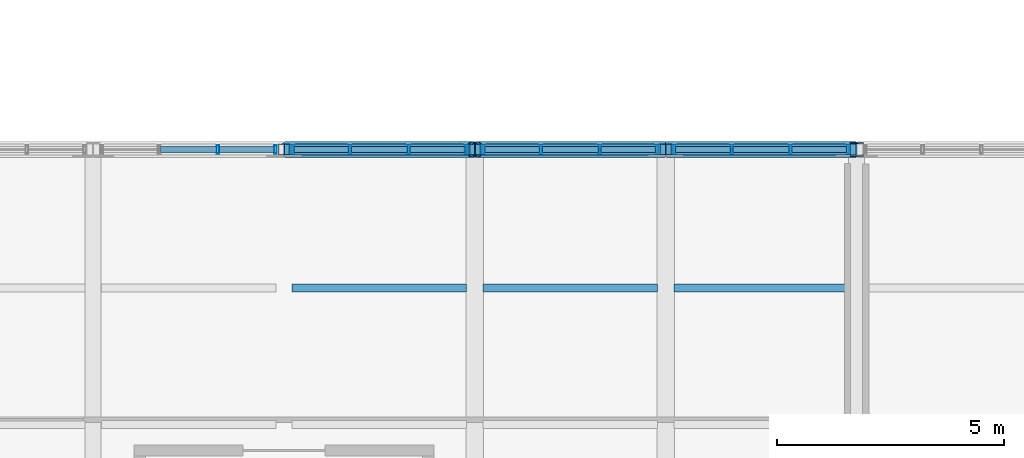
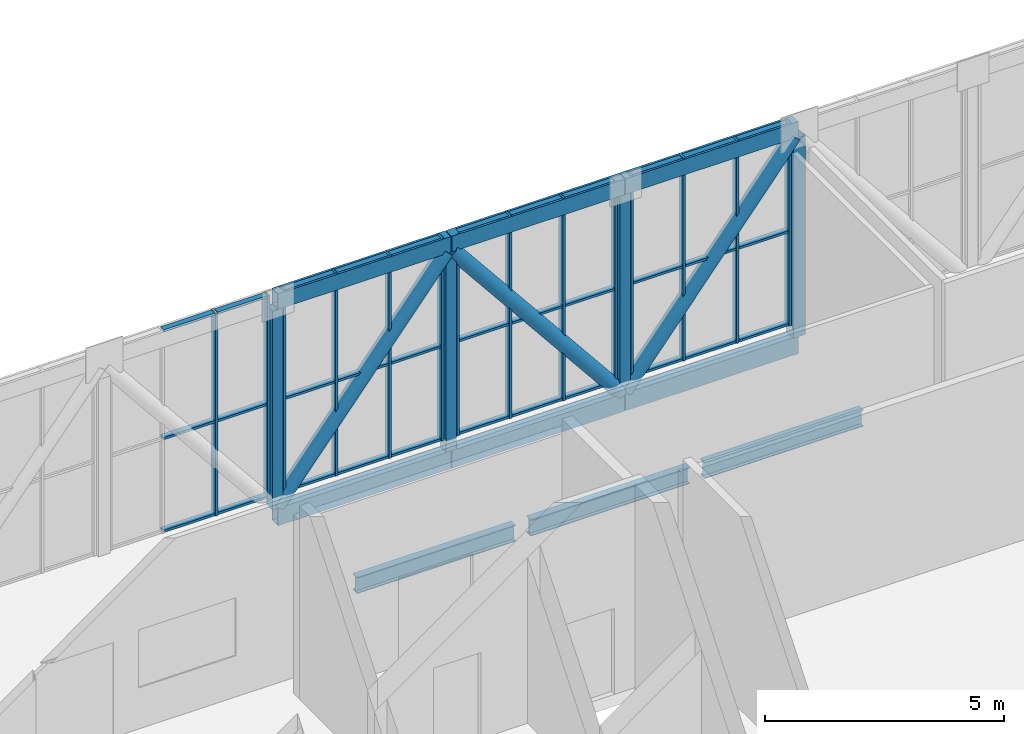
# One storey, part 24 of 58: 60 members, 3 beams, 4 elements without a shape of their own.
"""IFC4 building model written with IfcOpenShell, lengths in metres."""

from ifc_helpers import new_model, si_unit, direction, frame, origin, origin_2d, place, context, subcontext, project, spatial, hollow_rectangle, hollow_circle, i_section, extrude, material, material_profile, profile_set, type_object, element, aggregate, save


model = new_model("IFC4")

# Units and contexts
model_context = context("Model", 3, precision=1e-05, world=origin(), true_north=direction((0.0, 1.0)))
body_context = subcontext(model_context, "Body", "Model", "MODEL_VIEW")
ifc_project = project(units=[si_unit("LENGTHUNIT", "METRE"), si_unit("AREAUNIT", "SQUARE_METRE"), si_unit("VOLUMEUNIT", "CUBIC_METRE"), si_unit("PLANEANGLEUNIT", "RADIAN"), si_unit("MASSUNIT", "GRAM", prefix="KILO")], contexts=[model_context])

# Site, building, storey
site_placement = place(None, origin())
site = spatial("IfcSite", under=ifc_project, at=site_placement, CompositionType="ELEMENT")
building_placement = place(site_placement, origin())
building = spatial("IfcBuilding", under=site, at=building_placement, Name="Khurvash Pelagic Aquarium", CompositionType="ELEMENT")
storey_placement = place(building_placement, frame((0.0, 0.0, 24.60009765625)))
storey = spatial("IfcBuildingStorey", under=building, at=storey_placement, Name="L05", CompositionType="ELEMENT", Elevation=24.60009765625)

# Curtain wall, members
ifc_material_1 = material(Name="Anodised aluminium and low-E laminated glass", Category="aluminium")
curtain_wall_type = type_object("IfcCurtainWallType", Name="CW-01", PredefinedType="USERDEFINED", material=ifc_material_1)
curtain_wall_1_placement = place(storey_placement, origin())
curtain_wall_1 = element("IfcCurtainWall", 1, at=curtain_wall_1_placement, inside=storey, type_object=curtain_wall_type, Name="L05 North Sky-Bar Unitised Curtain Wall CW-01 P12", ObjectType="UNITISED CURTAIN WALL", PredefinedType="USERDEFINED")
ifc_material_2 = material(Name="Extruded aluminium AW-6063-T6", Category="aluminium")
ifc_material_profile_1 = material_profile(ifc_material_2, hollow_rectangle(XDim=0.06005859375, YDim=0.179931640625, WallThickness=0.00390625, at=origin_2d()), Name="CWM60X180X4")
ifc_profile_set_1 = profile_set([ifc_material_profile_1], Name="Extruded aluminium AW-6063-T6")
member_type_1 = type_object("IfcMemberType", Name="CM-01", PredefinedType="MULLION", material=ifc_profile_set_1)
member_1_placement = place(storey_placement, frame((61.546630859375, 29.75, 0.0), z_axis=(0.0, 0.0, 1.0), x_axis=(1.0, 0.0, 0.0)))
member_1 = element("IfcMember", 2, at=member_1_placement, type_object=member_type_1, Name="CW-01 mullion 3", PredefinedType="MULLION", context=body_context, shape_type="SweptSolid", body=[
    extrude(hollow_rectangle(XDim=0.06005859375, YDim=0.179931640625, WallThickness=0.00390625, at=origin_2d()), origin(), (0.0, 0.0, 1.0), 5.179931640625),
])
member_2_placement = place(storey_placement, frame((62.81005859375, 29.75, 0.0), z_axis=(0.0, 0.0, 1.0), x_axis=(1.0, 0.0, 0.0)))
member_2 = element("IfcMember", 3, at=member_2_placement, type_object=member_type_1, Name="CW-01 mullion 4", PredefinedType="MULLION", context=body_context, shape_type="SweptSolid", body=[
    extrude(hollow_rectangle(XDim=0.06005859375, YDim=0.179931640625, WallThickness=0.00390625, at=origin_2d()), origin(), (0.0, 0.0, 1.0), 5.179931640625),
])

curtain_wall_2_placement = place(storey_placement, origin())
curtain_wall_2 = element("IfcCurtainWall", 4, at=curtain_wall_2_placement, inside=storey, type_object=curtain_wall_type, Name="L05 North Sky-Bar Unitised Curtain Wall CW-01 P13", ObjectType="UNITISED CURTAIN WALL", PredefinedType="USERDEFINED")
member_3_placement = place(storey_placement, frame((63.18994140625, 29.75, 0.0), z_axis=(0.0, 0.0, 1.0), x_axis=(1.0, 0.0, 0.0)))
member_3 = element("IfcMember", 5, at=member_3_placement, type_object=member_type_1, Name="CW-01 mullion 1", PredefinedType="MULLION", context=body_context, shape_type="SweptSolid", body=[
    extrude(hollow_rectangle(XDim=0.06005859375, YDim=0.179931640625, WallThickness=0.00390625, at=origin_2d()), origin(), (0.0, 0.0, 1.0), 5.179931640625),
])
member_4_placement = place(storey_placement, frame((64.453369140625, 29.75, 0.0), z_axis=(0.0, 0.0, 1.0), x_axis=(1.0, 0.0, 0.0)))
member_4 = element("IfcMember", 6, at=member_4_placement, type_object=member_type_1, Name="CW-01 mullion 2", PredefinedType="MULLION", context=body_context, shape_type="SweptSolid", body=[
    extrude(hollow_rectangle(XDim=0.06005859375, YDim=0.179931640625, WallThickness=0.00390625, at=origin_2d()), origin(), (0.0, 0.0, 1.0), 5.179931640625),
])
member_5_placement = place(storey_placement, frame((65.74658203125, 29.75, 0.0), z_axis=(0.0, 0.0, 1.0), x_axis=(1.0, 0.0, 0.0)))
member_5 = element("IfcMember", 7, at=member_5_placement, type_object=member_type_1, Name="CW-01 mullion 3", PredefinedType="MULLION", context=body_context, shape_type="SweptSolid", body=[
    extrude(hollow_rectangle(XDim=0.06005859375, YDim=0.179931640625, WallThickness=0.00390625, at=origin_2d()), origin(), (0.0, 0.0, 1.0), 5.179931640625),
])
member_6_placement = place(storey_placement, frame((67.010009765625, 29.75, 0.0), z_axis=(0.0, 0.0, 1.0), x_axis=(1.0, 0.0, 0.0)))
member_6 = element("IfcMember", 8, at=member_6_placement, type_object=member_type_1, Name="CW-01 mullion 4", PredefinedType="MULLION", context=body_context, shape_type="SweptSolid", body=[
    extrude(hollow_rectangle(XDim=0.06005859375, YDim=0.179931640625, WallThickness=0.00390625, at=origin_2d()), origin(), (0.0, 0.0, 1.0), 5.179931640625),
])

curtain_wall_3_placement = place(storey_placement, origin())
curtain_wall_3 = element("IfcCurtainWall", 9, at=curtain_wall_3_placement, inside=storey, type_object=curtain_wall_type, Name="L05 North Sky-Bar Unitised Curtain Wall CW-01 P14", ObjectType="UNITISED CURTAIN WALL", PredefinedType="USERDEFINED")
member_7_placement = place(storey_placement, frame((67.389892578125, 29.75, 0.0), z_axis=(0.0, 0.0, 1.0), x_axis=(1.0, 0.0, 0.0)))
member_7 = element("IfcMember", 10, at=member_7_placement, type_object=member_type_1, Name="CW-01 mullion 1", PredefinedType="MULLION", context=body_context, shape_type="SweptSolid", body=[
    extrude(hollow_rectangle(XDim=0.06005859375, YDim=0.179931640625, WallThickness=0.00390625, at=origin_2d()), origin(), (0.0, 0.0, 1.0), 5.179931640625),
])
member_8_placement = place(storey_placement, frame((68.6533203125, 29.75, 0.0), z_axis=(0.0, 0.0, 1.0), x_axis=(1.0, 0.0, 0.0)))
member_8 = element("IfcMember", 11, at=member_8_placement, type_object=member_type_1, Name="CW-01 mullion 2", PredefinedType="MULLION", context=body_context, shape_type="SweptSolid", body=[
    extrude(hollow_rectangle(XDim=0.06005859375, YDim=0.179931640625, WallThickness=0.00390625, at=origin_2d()), origin(), (0.0, 0.0, 1.0), 5.179931640625),
])
member_9_placement = place(storey_placement, frame((69.94677734375, 29.75, 0.0), z_axis=(0.0, 0.0, 1.0), x_axis=(1.0, 0.0, 0.0)))
member_9 = element("IfcMember", 12, at=member_9_placement, type_object=member_type_1, Name="CW-01 mullion 3", PredefinedType="MULLION", context=body_context, shape_type="SweptSolid", body=[
    extrude(hollow_rectangle(XDim=0.06005859375, YDim=0.179931640625, WallThickness=0.00390625, at=origin_2d()), origin(), (0.0, 0.0, 1.0), 5.179931640625),
])
member_10_placement = place(storey_placement, frame((71.2099609375, 29.75, 0.0), z_axis=(0.0, 0.0, 1.0), x_axis=(1.0, 0.0, 0.0)))
member_10 = element("IfcMember", 13, at=member_10_placement, type_object=member_type_1, Name="CW-01 mullion 4", PredefinedType="MULLION", context=body_context, shape_type="SweptSolid", body=[
    extrude(hollow_rectangle(XDim=0.06005859375, YDim=0.179931640625, WallThickness=0.00390625, at=origin_2d()), origin(), (0.0, 0.0, 1.0), 5.179931640625),
])

curtain_wall_4_placement = place(storey_placement, origin())
curtain_wall_4 = element("IfcCurtainWall", 14, at=curtain_wall_4_placement, inside=storey, type_object=curtain_wall_type, Name="L05 North Sky-Bar Unitised Curtain Wall CW-01 P15", ObjectType="UNITISED CURTAIN WALL", PredefinedType="USERDEFINED")
member_11_placement = place(storey_placement, frame((71.590087890625, 29.75, 0.0), z_axis=(0.0, 0.0, 1.0), x_axis=(1.0, 0.0, 0.0)))
member_11 = element("IfcMember", 15, at=member_11_placement, type_object=member_type_1, Name="CW-01 mullion 1", PredefinedType="MULLION", context=body_context, shape_type="SweptSolid", body=[
    extrude(hollow_rectangle(XDim=0.06005859375, YDim=0.179931640625, WallThickness=0.00390625, at=origin_2d()), origin(), (0.0, 0.0, 1.0), 5.179931640625),
])
member_12_placement = place(storey_placement, frame((72.853271484375, 29.75, 0.0), z_axis=(0.0, 0.0, 1.0), x_axis=(1.0, 0.0, 0.0)))
member_12 = element("IfcMember", 16, at=member_12_placement, type_object=member_type_1, Name="CW-01 mullion 2", PredefinedType="MULLION", context=body_context, shape_type="SweptSolid", body=[
    extrude(hollow_rectangle(XDim=0.06005859375, YDim=0.179931640625, WallThickness=0.00390625, at=origin_2d()), origin(), (0.0, 0.0, 1.0), 5.179931640625),
])
member_13_placement = place(storey_placement, frame((74.146728515625, 29.75, 0.0), z_axis=(0.0, 0.0, 1.0), x_axis=(1.0, 0.0, 0.0)))
member_13 = element("IfcMember", 17, at=member_13_placement, type_object=member_type_1, Name="CW-01 mullion 3", PredefinedType="MULLION", context=body_context, shape_type="SweptSolid", body=[
    extrude(hollow_rectangle(XDim=0.06005859375, YDim=0.179931640625, WallThickness=0.00390625, at=origin_2d()), origin(), (0.0, 0.0, 1.0), 5.179931640625),
])
member_14_placement = place(storey_placement, frame((75.409912109375, 29.75, 0.0), z_axis=(0.0, 0.0, 1.0), x_axis=(1.0, 0.0, 0.0)))
member_14 = element("IfcMember", 18, at=member_14_placement, type_object=member_type_1, Name="CW-01 mullion 4", PredefinedType="MULLION", context=body_context, shape_type="SweptSolid", body=[
    extrude(hollow_rectangle(XDim=0.06005859375, YDim=0.179931640625, WallThickness=0.00390625, at=origin_2d()), origin(), (0.0, 0.0, 1.0), 5.179931640625),
])

# Member
ifc_material_profile_2 = material_profile(ifc_material_2, hollow_rectangle(XDim=0.139892578125, YDim=0.06005859375, WallThickness=0.00390625, at=origin_2d()), Name="CWT140X60X4")
ifc_profile_set_2 = profile_set([ifc_material_profile_2], Name="Extruded aluminium AW-6063-T6")
member_type_2 = type_object("IfcMemberType", Name="CT-01", PredefinedType="USERDEFINED", material=ifc_profile_set_2)
member_15_placement = place(storey_placement, frame((60.283447265625, 29.75, 0.02978515625), z_axis=(1.0, 0.0, 0.0), x_axis=(0.0, 1.0, 0.0)))
member_15 = element("IfcMember", 19, at=member_15_placement, type_object=member_type_2, Name="CW-01 transom 2.1", ObjectType="TRANSOM", PredefinedType="USERDEFINED", context=body_context, shape_type="SweptSolid", body=[
    extrude(hollow_rectangle(XDim=0.139892578125, YDim=0.06005859375, WallThickness=0.00390625, at=origin_2d()), origin(), (0.0, 0.0, 1.0), 1.233154296875),
])

member_16_placement = place(storey_placement, frame((60.283447265625, 29.75, 2.39990234375), z_axis=(1.0, 0.0, 0.0), x_axis=(0.0, 1.0, 0.0)))
member_16 = element("IfcMember", 20, at=member_16_placement, type_object=member_type_2, Name="CW-01 transom 2.2", ObjectType="TRANSOM", PredefinedType="USERDEFINED", context=body_context, shape_type="SweptSolid", body=[
    extrude(hollow_rectangle(XDim=0.139892578125, YDim=0.06005859375, WallThickness=0.00390625, at=origin_2d()), origin(), (0.0, 0.0, 1.0), 1.233154296875),
])

member_17_placement = place(storey_placement, frame((60.283447265625, 29.75, 5.14990234375), z_axis=(1.0, 0.0, 0.0), x_axis=(0.0, 1.0, 0.0)))
member_17 = element("IfcMember", 21, at=member_17_placement, type_object=member_type_2, Name="CW-01 transom 2.3", ObjectType="TRANSOM", PredefinedType="USERDEFINED", context=body_context, shape_type="SweptSolid", body=[
    extrude(hollow_rectangle(XDim=0.139892578125, YDim=0.06005859375, WallThickness=0.00390625, at=origin_2d()), origin(), (0.0, 0.0, 1.0), 1.233154296875),
])

member_18_placement = place(storey_placement, frame((61.57666015625, 29.75, 0.02978515625), z_axis=(1.0, 0.0, 0.0), x_axis=(0.0, 1.0, 0.0)))
member_18 = element("IfcMember", 22, at=member_18_placement, type_object=member_type_2, Name="CW-01 transom 3.1", ObjectType="TRANSOM", PredefinedType="USERDEFINED", context=body_context, shape_type="SweptSolid", body=[
    extrude(hollow_rectangle(XDim=0.139892578125, YDim=0.06005859375, WallThickness=0.00390625, at=origin_2d()), origin(), (0.0, 0.0, 1.0), 1.203369140625),
])

member_19_placement = place(storey_placement, frame((61.57666015625, 29.75, 2.39990234375), z_axis=(1.0, 0.0, 0.0), x_axis=(0.0, 1.0, 0.0)))
member_19 = element("IfcMember", 23, at=member_19_placement, type_object=member_type_2, Name="CW-01 transom 3.2", ObjectType="TRANSOM", PredefinedType="USERDEFINED", context=body_context, shape_type="SweptSolid", body=[
    extrude(hollow_rectangle(XDim=0.139892578125, YDim=0.06005859375, WallThickness=0.00390625, at=origin_2d()), origin(), (0.0, 0.0, 1.0), 1.203369140625),
])

member_20_placement = place(storey_placement, frame((61.57666015625, 29.75, 5.14990234375), z_axis=(1.0, 0.0, 0.0), x_axis=(0.0, 1.0, 0.0)))
member_20 = element("IfcMember", 24, at=member_20_placement, type_object=member_type_2, Name="CW-01 transom 3.3", ObjectType="TRANSOM", PredefinedType="USERDEFINED", context=body_context, shape_type="SweptSolid", body=[
    extrude(hollow_rectangle(XDim=0.139892578125, YDim=0.06005859375, WallThickness=0.00390625, at=origin_2d()), origin(), (0.0, 0.0, 1.0), 1.203369140625),
])

aggregate(curtain_wall_1, [member_1, member_2, member_15, member_16, member_17, member_18, member_19, member_20])

member_21_placement = place(storey_placement, frame((63.219970703125, 29.75, 0.02978515625), z_axis=(1.0, 0.0, 0.0), x_axis=(0.0, 1.0, 0.0)))
member_21 = element("IfcMember", 25, at=member_21_placement, type_object=member_type_2, Name="CW-01 transom 1.1", ObjectType="TRANSOM", PredefinedType="USERDEFINED", context=body_context, shape_type="SweptSolid", body=[
    extrude(hollow_rectangle(XDim=0.139892578125, YDim=0.06005859375, WallThickness=0.00390625, at=origin_2d()), origin(), (0.0, 0.0, 1.0), 1.203369140625),
])

member_22_placement = place(storey_placement, frame((63.219970703125, 29.75, 2.39990234375), z_axis=(1.0, 0.0, 0.0), x_axis=(0.0, 1.0, 0.0)))
member_22 = element("IfcMember", 26, at=member_22_placement, type_object=member_type_2, Name="CW-01 transom 1.2", ObjectType="TRANSOM", PredefinedType="USERDEFINED", context=body_context, shape_type="SweptSolid", body=[
    extrude(hollow_rectangle(XDim=0.139892578125, YDim=0.06005859375, WallThickness=0.00390625, at=origin_2d()), origin(), (0.0, 0.0, 1.0), 1.203369140625),
])

member_23_placement = place(storey_placement, frame((63.219970703125, 29.75, 5.14990234375), z_axis=(1.0, 0.0, 0.0), x_axis=(0.0, 1.0, 0.0)))
member_23 = element("IfcMember", 27, at=member_23_placement, type_object=member_type_2, Name="CW-01 transom 1.3", ObjectType="TRANSOM", PredefinedType="USERDEFINED", context=body_context, shape_type="SweptSolid", body=[
    extrude(hollow_rectangle(XDim=0.139892578125, YDim=0.06005859375, WallThickness=0.00390625, at=origin_2d()), origin(), (0.0, 0.0, 1.0), 1.203369140625),
])

member_24_placement = place(storey_placement, frame((64.4833984375, 29.75, 0.02978515625), z_axis=(1.0, 0.0, 0.0), x_axis=(0.0, 1.0, 0.0)))
member_24 = element("IfcMember", 28, at=member_24_placement, type_object=member_type_2, Name="CW-01 transom 2.1", ObjectType="TRANSOM", PredefinedType="USERDEFINED", context=body_context, shape_type="SweptSolid", body=[
    extrude(hollow_rectangle(XDim=0.139892578125, YDim=0.06005859375, WallThickness=0.00390625, at=origin_2d()), origin(), (0.0, 0.0, 1.0), 1.233154296875),
])

member_25_placement = place(storey_placement, frame((64.4833984375, 29.75, 2.39990234375), z_axis=(1.0, 0.0, 0.0), x_axis=(0.0, 1.0, 0.0)))
member_25 = element("IfcMember", 29, at=member_25_placement, type_object=member_type_2, Name="CW-01 transom 2.2", ObjectType="TRANSOM", PredefinedType="USERDEFINED", context=body_context, shape_type="SweptSolid", body=[
    extrude(hollow_rectangle(XDim=0.139892578125, YDim=0.06005859375, WallThickness=0.00390625, at=origin_2d()), origin(), (0.0, 0.0, 1.0), 1.233154296875),
])

member_26_placement = place(storey_placement, frame((64.4833984375, 29.75, 5.14990234375), z_axis=(1.0, 0.0, 0.0), x_axis=(0.0, 1.0, 0.0)))
member_26 = element("IfcMember", 30, at=member_26_placement, type_object=member_type_2, Name="CW-01 transom 2.3", ObjectType="TRANSOM", PredefinedType="USERDEFINED", context=body_context, shape_type="SweptSolid", body=[
    extrude(hollow_rectangle(XDim=0.139892578125, YDim=0.06005859375, WallThickness=0.00390625, at=origin_2d()), origin(), (0.0, 0.0, 1.0), 1.233154296875),
])

member_27_placement = place(storey_placement, frame((65.776611328125, 29.75, 0.02978515625), z_axis=(1.0, 0.0, 0.0), x_axis=(0.0, 1.0, 0.0)))
member_27 = element("IfcMember", 31, at=member_27_placement, type_object=member_type_2, Name="CW-01 transom 3.1", ObjectType="TRANSOM", PredefinedType="USERDEFINED", context=body_context, shape_type="SweptSolid", body=[
    extrude(hollow_rectangle(XDim=0.139892578125, YDim=0.06005859375, WallThickness=0.00390625, at=origin_2d()), origin(), (0.0, 0.0, 1.0), 1.203369140625),
])

member_28_placement = place(storey_placement, frame((65.776611328125, 29.75, 2.39990234375), z_axis=(1.0, 0.0, 0.0), x_axis=(0.0, 1.0, 0.0)))
member_28 = element("IfcMember", 32, at=member_28_placement, type_object=member_type_2, Name="CW-01 transom 3.2", ObjectType="TRANSOM", PredefinedType="USERDEFINED", context=body_context, shape_type="SweptSolid", body=[
    extrude(hollow_rectangle(XDim=0.139892578125, YDim=0.06005859375, WallThickness=0.00390625, at=origin_2d()), origin(), (0.0, 0.0, 1.0), 1.203369140625),
])

member_29_placement = place(storey_placement, frame((65.776611328125, 29.75, 5.14990234375), z_axis=(1.0, 0.0, 0.0), x_axis=(0.0, 1.0, 0.0)))
member_29 = element("IfcMember", 33, at=member_29_placement, type_object=member_type_2, Name="CW-01 transom 3.3", ObjectType="TRANSOM", PredefinedType="USERDEFINED", context=body_context, shape_type="SweptSolid", body=[
    extrude(hollow_rectangle(XDim=0.139892578125, YDim=0.06005859375, WallThickness=0.00390625, at=origin_2d()), origin(), (0.0, 0.0, 1.0), 1.203369140625),
])

aggregate(curtain_wall_2, [member_3, member_4, member_5, member_6, member_21, member_22, member_23, member_24, member_25, member_26, member_27, member_28, member_29])

member_30_placement = place(storey_placement, frame((67.419921875, 29.75, 0.02978515625), z_axis=(1.0, 0.0, 0.0), x_axis=(0.0, 1.0, 0.0)))
member_30 = element("IfcMember", 34, at=member_30_placement, type_object=member_type_2, Name="CW-01 transom 1.1", ObjectType="TRANSOM", PredefinedType="USERDEFINED", context=body_context, shape_type="SweptSolid", body=[
    extrude(hollow_rectangle(XDim=0.139892578125, YDim=0.06005859375, WallThickness=0.00390625, at=origin_2d()), origin(), (0.0, 0.0, 1.0), 1.203369140625),
])

member_31_placement = place(storey_placement, frame((67.419921875, 29.75, 2.39990234375), z_axis=(1.0, 0.0, 0.0), x_axis=(0.0, 1.0, 0.0)))
member_31 = element("IfcMember", 35, at=member_31_placement, type_object=member_type_2, Name="CW-01 transom 1.2", ObjectType="TRANSOM", PredefinedType="USERDEFINED", context=body_context, shape_type="SweptSolid", body=[
    extrude(hollow_rectangle(XDim=0.139892578125, YDim=0.06005859375, WallThickness=0.00390625, at=origin_2d()), origin(), (0.0, 0.0, 1.0), 1.203369140625),
])

member_32_placement = place(storey_placement, frame((67.419921875, 29.75, 5.14990234375), z_axis=(1.0, 0.0, 0.0), x_axis=(0.0, 1.0, 0.0)))
member_32 = element("IfcMember", 36, at=member_32_placement, type_object=member_type_2, Name="CW-01 transom 1.3", ObjectType="TRANSOM", PredefinedType="USERDEFINED", context=body_context, shape_type="SweptSolid", body=[
    extrude(hollow_rectangle(XDim=0.139892578125, YDim=0.06005859375, WallThickness=0.00390625, at=origin_2d()), origin(), (0.0, 0.0, 1.0), 1.203369140625),
])

member_33_placement = place(storey_placement, frame((68.683349609375, 29.75, 0.02978515625), z_axis=(1.0, 0.0, 0.0), x_axis=(0.0, 1.0, 0.0)))
member_33 = element("IfcMember", 37, at=member_33_placement, type_object=member_type_2, Name="CW-01 transom 2.1", ObjectType="TRANSOM", PredefinedType="USERDEFINED", context=body_context, shape_type="SweptSolid", body=[
    extrude(hollow_rectangle(XDim=0.139892578125, YDim=0.06005859375, WallThickness=0.00390625, at=origin_2d()), origin(), (0.0, 0.0, 1.0), 1.2333984375),
])

member_34_placement = place(storey_placement, frame((68.683349609375, 29.75, 2.39990234375), z_axis=(1.0, 0.0, 0.0), x_axis=(0.0, 1.0, 0.0)))
member_34 = element("IfcMember", 38, at=member_34_placement, type_object=member_type_2, Name="CW-01 transom 2.2", ObjectType="TRANSOM", PredefinedType="USERDEFINED", context=body_context, shape_type="SweptSolid", body=[
    extrude(hollow_rectangle(XDim=0.139892578125, YDim=0.06005859375, WallThickness=0.00390625, at=origin_2d()), origin(), (0.0, 0.0, 1.0), 1.2333984375),
])

member_35_placement = place(storey_placement, frame((68.683349609375, 29.75, 5.14990234375), z_axis=(1.0, 0.0, 0.0), x_axis=(0.0, 1.0, 0.0)))
member_35 = element("IfcMember", 39, at=member_35_placement, type_object=member_type_2, Name="CW-01 transom 2.3", ObjectType="TRANSOM", PredefinedType="USERDEFINED", context=body_context, shape_type="SweptSolid", body=[
    extrude(hollow_rectangle(XDim=0.139892578125, YDim=0.06005859375, WallThickness=0.00390625, at=origin_2d()), origin(), (0.0, 0.0, 1.0), 1.2333984375),
])

member_36_placement = place(storey_placement, frame((69.9765625, 29.75, 0.02978515625), z_axis=(1.0, 0.0, 0.0), x_axis=(0.0, 1.0, 0.0)))
member_36 = element("IfcMember", 40, at=member_36_placement, type_object=member_type_2, Name="CW-01 transom 3.1", ObjectType="TRANSOM", PredefinedType="USERDEFINED", context=body_context, shape_type="SweptSolid", body=[
    extrude(hollow_rectangle(XDim=0.139892578125, YDim=0.06005859375, WallThickness=0.00390625, at=origin_2d()), origin(), (0.0, 0.0, 1.0), 1.203369140625),
])

member_37_placement = place(storey_placement, frame((69.9765625, 29.75, 2.39990234375), z_axis=(1.0, 0.0, 0.0), x_axis=(0.0, 1.0, 0.0)))
member_37 = element("IfcMember", 41, at=member_37_placement, type_object=member_type_2, Name="CW-01 transom 3.2", ObjectType="TRANSOM", PredefinedType="USERDEFINED", context=body_context, shape_type="SweptSolid", body=[
    extrude(hollow_rectangle(XDim=0.139892578125, YDim=0.06005859375, WallThickness=0.00390625, at=origin_2d()), origin(), (0.0, 0.0, 1.0), 1.203369140625),
])

member_38_placement = place(storey_placement, frame((69.9765625, 29.75, 5.14990234375), z_axis=(1.0, 0.0, 0.0), x_axis=(0.0, 1.0, 0.0)))
member_38 = element("IfcMember", 42, at=member_38_placement, type_object=member_type_2, Name="CW-01 transom 3.3", ObjectType="TRANSOM", PredefinedType="USERDEFINED", context=body_context, shape_type="SweptSolid", body=[
    extrude(hollow_rectangle(XDim=0.139892578125, YDim=0.06005859375, WallThickness=0.00390625, at=origin_2d()), origin(), (0.0, 0.0, 1.0), 1.203369140625),
])

aggregate(curtain_wall_3, [member_7, member_8, member_9, member_10, member_30, member_31, member_32, member_33, member_34, member_35, member_36, member_37, member_38])

member_39_placement = place(storey_placement, frame((71.6201171875, 29.75, 0.02978515625), z_axis=(1.0, 0.0, 0.0), x_axis=(0.0, 1.0, 0.0)))
member_39 = element("IfcMember", 43, at=member_39_placement, type_object=member_type_2, Name="CW-01 transom 1.1", ObjectType="TRANSOM", PredefinedType="USERDEFINED", context=body_context, shape_type="SweptSolid", body=[
    extrude(hollow_rectangle(XDim=0.139892578125, YDim=0.06005859375, WallThickness=0.00390625, at=origin_2d()), origin(), (0.0, 0.0, 1.0), 1.203125),
])

member_40_placement = place(storey_placement, frame((71.6201171875, 29.75, 2.39990234375), z_axis=(1.0, 0.0, 0.0), x_axis=(0.0, 1.0, 0.0)))
member_40 = element("IfcMember", 44, at=member_40_placement, type_object=member_type_2, Name="CW-01 transom 1.2", ObjectType="TRANSOM", PredefinedType="USERDEFINED", context=body_context, shape_type="SweptSolid", body=[
    extrude(hollow_rectangle(XDim=0.139892578125, YDim=0.06005859375, WallThickness=0.00390625, at=origin_2d()), origin(), (0.0, 0.0, 1.0), 1.203125),
])

member_41_placement = place(storey_placement, frame((71.6201171875, 29.75, 5.14990234375), z_axis=(1.0, 0.0, 0.0), x_axis=(0.0, 1.0, 0.0)))
member_41 = element("IfcMember", 45, at=member_41_placement, type_object=member_type_2, Name="CW-01 transom 1.3", ObjectType="TRANSOM", PredefinedType="USERDEFINED", context=body_context, shape_type="SweptSolid", body=[
    extrude(hollow_rectangle(XDim=0.139892578125, YDim=0.06005859375, WallThickness=0.00390625, at=origin_2d()), origin(), (0.0, 0.0, 1.0), 1.203125),
])

member_42_placement = place(storey_placement, frame((72.88330078125, 29.75, 0.02978515625), z_axis=(1.0, 0.0, 0.0), x_axis=(0.0, 1.0, 0.0)))
member_42 = element("IfcMember", 46, at=member_42_placement, type_object=member_type_2, Name="CW-01 transom 2.1", ObjectType="TRANSOM", PredefinedType="USERDEFINED", context=body_context, shape_type="SweptSolid", body=[
    extrude(hollow_rectangle(XDim=0.139892578125, YDim=0.06005859375, WallThickness=0.00390625, at=origin_2d()), origin(), (0.0, 0.0, 1.0), 1.2333984375),
])

member_43_placement = place(storey_placement, frame((72.88330078125, 29.75, 2.39990234375), z_axis=(1.0, 0.0, 0.0), x_axis=(0.0, 1.0, 0.0)))
member_43 = element("IfcMember", 47, at=member_43_placement, type_object=member_type_2, Name="CW-01 transom 2.2", ObjectType="TRANSOM", PredefinedType="USERDEFINED", context=body_context, shape_type="SweptSolid", body=[
    extrude(hollow_rectangle(XDim=0.139892578125, YDim=0.06005859375, WallThickness=0.00390625, at=origin_2d()), origin(), (0.0, 0.0, 1.0), 1.2333984375),
])

member_44_placement = place(storey_placement, frame((72.88330078125, 29.75, 5.14990234375), z_axis=(1.0, 0.0, 0.0), x_axis=(0.0, 1.0, 0.0)))
member_44 = element("IfcMember", 48, at=member_44_placement, type_object=member_type_2, Name="CW-01 transom 2.3", ObjectType="TRANSOM", PredefinedType="USERDEFINED", context=body_context, shape_type="SweptSolid", body=[
    extrude(hollow_rectangle(XDim=0.139892578125, YDim=0.06005859375, WallThickness=0.00390625, at=origin_2d()), origin(), (0.0, 0.0, 1.0), 1.2333984375),
])

member_45_placement = place(storey_placement, frame((74.1767578125, 29.75, 0.02978515625), z_axis=(1.0, 0.0, 0.0), x_axis=(0.0, 1.0, 0.0)))
member_45 = element("IfcMember", 49, at=member_45_placement, type_object=member_type_2, Name="CW-01 transom 3.1", ObjectType="TRANSOM", PredefinedType="USERDEFINED", context=body_context, shape_type="SweptSolid", body=[
    extrude(hollow_rectangle(XDim=0.139892578125, YDim=0.06005859375, WallThickness=0.00390625, at=origin_2d()), origin(), (0.0, 0.0, 1.0), 1.203125),
])

member_46_placement = place(storey_placement, frame((74.1767578125, 29.75, 2.39990234375), z_axis=(1.0, 0.0, 0.0), x_axis=(0.0, 1.0, 0.0)))
member_46 = element("IfcMember", 50, at=member_46_placement, type_object=member_type_2, Name="CW-01 transom 3.2", ObjectType="TRANSOM", PredefinedType="USERDEFINED", context=body_context, shape_type="SweptSolid", body=[
    extrude(hollow_rectangle(XDim=0.139892578125, YDim=0.06005859375, WallThickness=0.00390625, at=origin_2d()), origin(), (0.0, 0.0, 1.0), 1.203125),
])

member_47_placement = place(storey_placement, frame((74.1767578125, 29.75, 5.14990234375), z_axis=(1.0, 0.0, 0.0), x_axis=(0.0, 1.0, 0.0)))
member_47 = element("IfcMember", 51, at=member_47_placement, type_object=member_type_2, Name="CW-01 transom 3.3", ObjectType="TRANSOM", PredefinedType="USERDEFINED", context=body_context, shape_type="SweptSolid", body=[
    extrude(hollow_rectangle(XDim=0.139892578125, YDim=0.06005859375, WallThickness=0.00390625, at=origin_2d()), origin(), (0.0, 0.0, 1.0), 1.203125),
])

aggregate(curtain_wall_4, [member_11, member_12, member_13, member_14, member_39, member_40, member_41, member_42, member_43, member_44, member_45, member_46, member_47])

# Beams
ifc_material_3 = material(Name="Steel ASTM A992 Grade 50", Category="steel")
ifc_material_profile_3 = material_profile(ifc_material_3, i_section(OverallWidth=0.180908203125, OverallDepth=0.4169921875, WebThickness=0.010986328125, FlangeThickness=0.018310546875, at=origin_2d()), Name="W16X57")
ifc_profile_set_3 = profile_set([ifc_material_profile_3], Name="Steel ASTM A992 Grade 50")
beam_type = type_object("IfcBeamType", Name="JS-03", PredefinedType="JOIST", material=ifc_profile_set_3)
for number, where, z_axis, x_axis, name in (
    (52, (63.179931640625, 26.699951171875, -0.508544921875), (1.0, 0.0, 0.0), (0.0, 1.0, 0.0), "L05 Sky-Bar Floor Joist JS-03 P13"),
    (53, (67.3798828125, 26.699951171875, -0.508544921875), (1.0, 0.0, 0.0), (0.0, 1.0, 0.0), "L05 Sky-Bar Floor Joist JS-03 P14"),
):
    element("IfcBeam", number, at=place(storey_placement, frame(where, z_axis=z_axis, x_axis=x_axis)), inside=storey, type_object=beam_type, Name=name, PredefinedType="JOIST", context=body_context, shape_type="SweptSolid", body=[
        extrude(i_section(OverallWidth=0.180908203125, OverallDepth=0.4169921875, WebThickness=0.010986328125, FlangeThickness=0.018310546875, at=origin_2d()), origin(), (0.0, 0.0, 1.0), 3.840087890625),
    ])
beam_placement = place(storey_placement, frame((71.580078125, 26.699951171875, -0.508544921875), z_axis=(1.0, 0.0, 0.0), x_axis=(0.0, 1.0, 0.0)))
element("IfcBeam", 54, at=beam_placement, inside=storey, type_object=beam_type, Name="L05 Sky-Bar Floor Joist JS-03 P15", PredefinedType="JOIST", context=body_context, shape_type="SweptSolid", body=[
    extrude(i_section(OverallWidth=0.180908203125, OverallDepth=0.4169921875, WebThickness=0.010986328125, FlangeThickness=0.018310546875, at=origin_2d()), origin(), (0.0, 0.0, 1.0), 3.83984375),
])

# Members
ifc_material_4 = material(Name="Steel S355J2", Category="steel")
ifc_material_profile_4 = material_profile(ifc_material_4, hollow_rectangle(XDim=0.25, YDim=0.449951171875, WallThickness=0.02001953125, at=origin_2d()), Name="RHS450X250X20")
ifc_profile_set_4 = profile_set([ifc_material_profile_4], Name="Steel S355J2")
member_type_3 = type_object("IfcMemberType", Name="TC-01", PredefinedType="CHORD", material=ifc_profile_set_4)
for number, where, z_axis, x_axis, name in (
    (55, (63.010009765625, 29.75, -0.525146484375), (1.0, 0.0, 0.0), (0.0, 1.0, 0.0), "L05 North Sky-Bar Warren Truss Bottom Chord TC-01 P13"),
    (56, (67.2099609375, 29.75, -0.525146484375), (1.0, 0.0, 0.0), (0.0, 1.0, 0.0), "L05 North Sky-Bar Warren Truss Bottom Chord TC-01 P14"),
):
    element("IfcMember", number, at=place(storey_placement, frame(where, z_axis=z_axis, x_axis=x_axis)), inside=storey, type_object=member_type_3, Name=name, PredefinedType="CHORD", context=body_context, shape_type="SweptSolid", body=[
        extrude(hollow_rectangle(XDim=0.25, YDim=0.449951171875, WallThickness=0.02001953125, at=origin_2d()), origin(), (0.0, 0.0, 1.0), 4.179931640625),
    ])
member_48_placement = place(storey_placement, frame((71.409912109375, 29.75, -0.525146484375), z_axis=(1.0, 0.0, 0.0), x_axis=(0.0, 1.0, 0.0)))
element("IfcMember", 57, at=member_48_placement, inside=storey, type_object=member_type_3, Name="L05 North Sky-Bar Warren Truss Bottom Chord TC-01 P15", PredefinedType="CHORD", context=body_context, shape_type="SweptSolid", body=[
    extrude(hollow_rectangle(XDim=0.25, YDim=0.449951171875, WallThickness=0.02001953125, at=origin_2d()), origin(), (0.0, 0.0, 1.0), 4.18017578125),
])
ifc_material_profile_5 = material_profile(ifc_material_4, hollow_rectangle(XDim=0.25, YDim=0.39990234375, WallThickness=0.01611328125, at=origin_2d()), Name="RHS400X250X16")
ifc_profile_set_5 = profile_set([ifc_material_profile_5], Name="Steel S355J2")
member_type_4 = type_object("IfcMemberType", Name="TC-02", PredefinedType="CHORD", material=ifc_profile_set_5)
for number, where, z_axis, x_axis, name in (
    (58, (63.010009765625, 29.75, 4.97998046875), (1.0, 0.0, 0.0), (0.0, 1.0, 0.0), "L05 North Sky-Bar Warren Truss Top Chord TC-02 P13"),
    (59, (67.2099609375, 29.75, 4.97998046875), (1.0, 0.0, 0.0), (0.0, 1.0, 0.0), "L05 North Sky-Bar Warren Truss Top Chord TC-02 P14"),
):
    element("IfcMember", number, at=place(storey_placement, frame(where, z_axis=z_axis, x_axis=x_axis)), inside=storey, type_object=member_type_4, Name=name, PredefinedType="CHORD", context=body_context, shape_type="SweptSolid", body=[
        extrude(hollow_rectangle(XDim=0.25, YDim=0.39990234375, WallThickness=0.01611328125, at=origin_2d()), origin(), (0.0, 0.0, 1.0), 4.179931640625),
    ])
member_49_placement = place(storey_placement, frame((71.409912109375, 29.75, 4.97998046875), z_axis=(1.0, 0.0, 0.0), x_axis=(0.0, 1.0, 0.0)))
element("IfcMember", 60, at=member_49_placement, inside=storey, type_object=member_type_4, Name="L05 North Sky-Bar Warren Truss Top Chord TC-02 P15", PredefinedType="CHORD", context=body_context, shape_type="SweptSolid", body=[
    extrude(hollow_rectangle(XDim=0.25, YDim=0.39990234375, WallThickness=0.01611328125, at=origin_2d()), origin(), (0.0, 0.0, 1.0), 4.18017578125),
])
ifc_material_profile_6 = material_profile(ifc_material_4, hollow_circle(Radius=0.177734375, WallThickness=0.01416015625, at=origin_2d()), Name="CHS355X14")
ifc_profile_set_6 = profile_set([ifc_material_profile_6], Name="Steel S355J2")
member_type_5 = type_object("IfcMemberType", Name="TD-02", PredefinedType="BRACE", material=ifc_profile_set_6)
member_50_placement = place(storey_placement, frame((63.050048828125, 29.75, -0.300048828125), z_axis=(0.628050658275, 0.0, 0.778172455591), x_axis=(0.0, 1.0, 0.0)))
element("IfcMember", 61, at=member_50_placement, inside=storey, type_object=member_type_5, Name="L05 North Sky-Bar Warren Truss Diagonal TD-02 P13", PredefinedType="BRACE", context=body_context, shape_type="SweptSolid", body=[
    extrude(hollow_circle(Radius=0.177734375, WallThickness=0.01416015625, at=origin_2d()), origin(), (0.0, 0.0, 1.0), 6.52783203125),
])
for number, where, z_axis, x_axis, name in (
    (62, (67.25, 29.75, 4.77978515625), (0.628073304864, 0.0, -0.778154177343), (0.0, 1.0, 0.0), "L05 North Sky-Bar Warren Truss Diagonal TD-02 P14"),
    (63, (71.449951171875, 29.75, -0.300048828125), (0.628073304864, 0.0, 0.778154177343), (0.0, 1.0, 0.0), "L05 North Sky-Bar Warren Truss Diagonal TD-02 P15"),
):
    element("IfcMember", number, at=place(storey_placement, frame(where, z_axis=z_axis, x_axis=x_axis)), inside=storey, type_object=member_type_5, Name=name, PredefinedType="BRACE", context=body_context, shape_type="SweptSolid", body=[
        extrude(hollow_circle(Radius=0.177734375, WallThickness=0.01416015625, at=origin_2d()), origin(), (0.0, 0.0, 1.0), 6.528076171875),
    ])
ifc_material_profile_7 = material_profile(ifc_material_4, hollow_rectangle(XDim=0.300048828125, YDim=0.300048828125, WallThickness=0.01611328125, at=origin_2d()), Name="SHS300X300X16")
ifc_profile_set_7 = profile_set([ifc_material_profile_7], Name="Steel S355J2")
member_type_6 = type_object("IfcMemberType", Name="TV-01", PredefinedType="POST", material=ifc_profile_set_7)
member_51_placement = place(storey_placement, frame((75.60009765625, 29.75, -0.300048828125), z_axis=(0.0, 0.0, 1.0), x_axis=(1.0, 0.0, 0.0)))
element("IfcMember", 64, at=member_51_placement, inside=storey, type_object=member_type_6, Name="L05 North Sky-Bar Truss Post TV-01 N16", PredefinedType="POST", context=body_context, shape_type="SweptSolid", body=[
    extrude(hollow_rectangle(XDim=0.300048828125, YDim=0.300048828125, WallThickness=0.01611328125, at=origin_2d()), origin(), (0.0, 0.0, 1.0), 5.079833984375),
])
ifc_material_profile_8 = material_profile(ifc_material_4, hollow_rectangle(XDim=0.25, YDim=0.25, WallThickness=0.012451171875, at=origin_2d()), Name="SHS250X250X12")
ifc_profile_set_8 = profile_set([ifc_material_profile_8], Name="Steel S355J2")
member_type_7 = type_object("IfcMemberType", Name="TV-02", PredefinedType="POST", material=ifc_profile_set_8)
for number, where, z_axis, x_axis, name in (
    (65, (63.0, 29.75, -0.300048828125), (0.0, 0.0, 1.0), (1.0, 0.0, 0.0), "L05 North Sky-Bar Truss Post TV-02 N13"),
    (66, (67.199951171875, 29.75, -0.300048828125), (0.0, 0.0, 1.0), (1.0, 0.0, 0.0), "L05 North Sky-Bar Truss Post TV-02 N14"),
    (67, (71.39990234375, 29.75, -0.300048828125), (0.0, 0.0, 1.0), (1.0, 0.0, 0.0), "L05 North Sky-Bar Truss Post TV-02 N15"),
):
    element("IfcMember", number, at=place(storey_placement, frame(where, z_axis=z_axis, x_axis=x_axis)), inside=storey, type_object=member_type_7, Name=name, PredefinedType="POST", context=body_context, shape_type="SweptSolid", body=[
        extrude(hollow_rectangle(XDim=0.25, YDim=0.25, WallThickness=0.012451171875, at=origin_2d()), origin(), (0.0, 0.0, 1.0), 5.079833984375),
    ])

save(model, "model.ifc")
